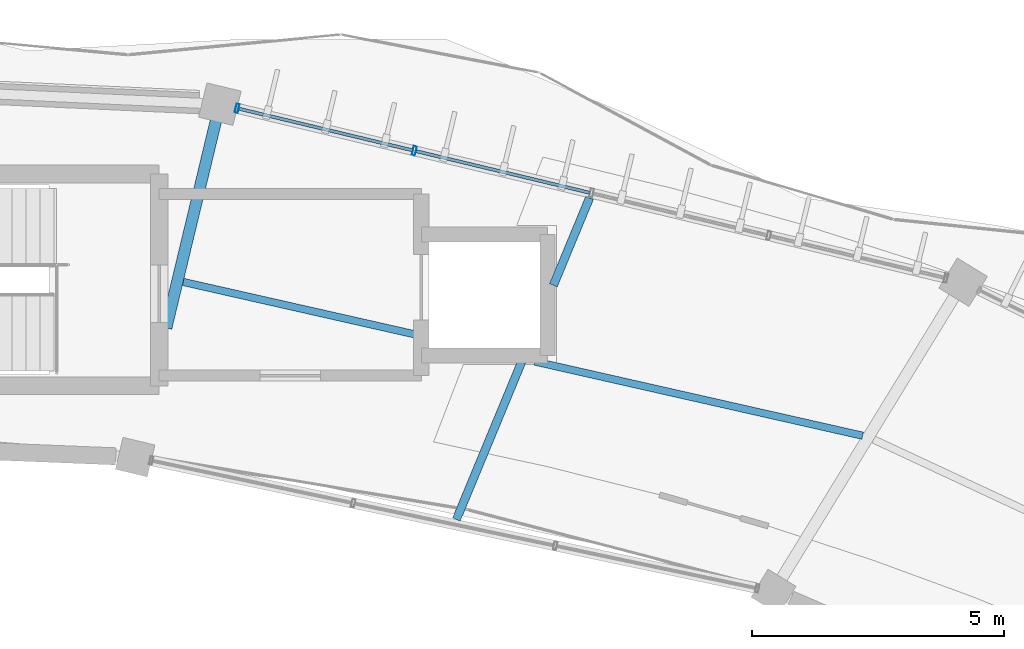
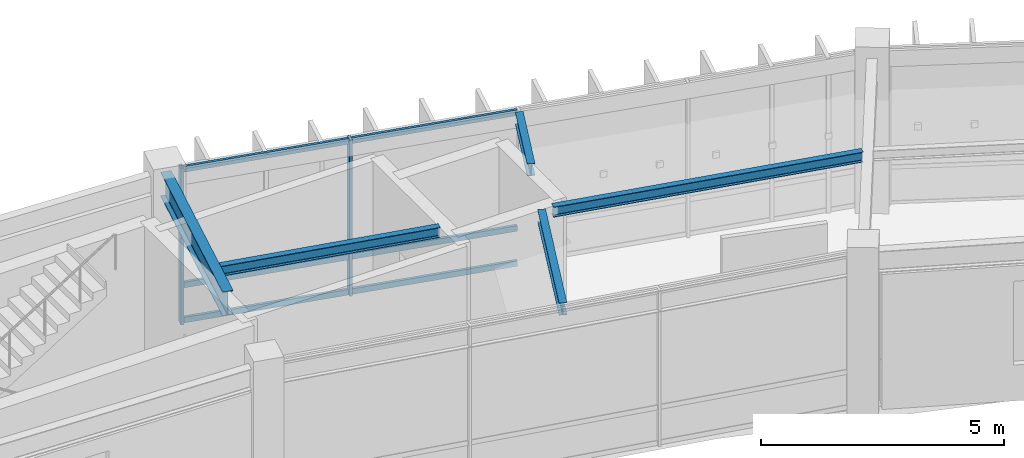
# One storey, part 72 of 138: 8 members, 5 beams, 1 element without a shape of its own.
"""IFC4 building model written with IfcOpenShell, lengths in metres."""

from ifc_helpers import new_model, si_unit, direction, frame, origin, origin_2d, place, context, subcontext, project, spatial, hollow_rectangle, i_section, extrude, material, material_profile, profile_set, type_object, element, aggregate, save


model = new_model("IFC4")

# Units and contexts
model_context = context("Model", 3, precision=1e-05, world=origin(), true_north=direction((0.0, 1.0)))
body_context = subcontext(model_context, "Body", "Model", "MODEL_VIEW")
ifc_project = project(units=[si_unit("LENGTHUNIT", "METRE"), si_unit("AREAUNIT", "SQUARE_METRE"), si_unit("VOLUMEUNIT", "CUBIC_METRE"), si_unit("PLANEANGLEUNIT", "RADIAN"), si_unit("MASSUNIT", "GRAM", prefix="KILO"), si_unit("THERMODYNAMICTEMPERATUREUNIT", "KELVIN"), si_unit("POWERUNIT", "WATT")], contexts=[model_context])

# Site, building, storey
site_placement = place(None, origin())
site = spatial("IfcSite", under=ifc_project, at=site_placement, CompositionType="ELEMENT")
building_placement = place(site_placement, origin())
building = spatial("IfcBuilding", under=site, at=building_placement, Name="Darbajah Civic Hall", CompositionType="ELEMENT")
storey_placement = place(building_placement, frame((0.0, 0.0, 9.60009765625)))
storey = spatial("IfcBuildingStorey", under=building, at=storey_placement, Name="L02", CompositionType="ELEMENT", Elevation=9.60009765625)

# Curtain wall, members
ifc_material_1 = material(Name="Anodised Bronze Aluminium and Low-E Glazing", Category="aluminium")
curtain_wall_type = type_object("IfcCurtainWallType", Name="Unitised Curtain Wall CW-40 14500x3900", PredefinedType="USERDEFINED", material=ifc_material_1)
curtain_wall_placement = place(storey_placement, origin())
curtain_wall = element("IfcCurtainWall", 1, at=curtain_wall_placement, inside=storey, type_object=curtain_wall_type, Name="L02 unitised curtain wall CW-V1O-L02-03", ObjectType="UNITISED CURTAIN WALL", PredefinedType="USERDEFINED")
ifc_material_2 = material(Name="Anodised Bronze Aluminium", Category="aluminium")
ifc_material_profile_1 = material_profile(ifc_material_2, hollow_rectangle(XDim=0.06494140625, YDim=0.179931640625, WallThickness=0.00390625, at=origin_2d()), Name="ALU MULLION 65x180")
ifc_profile_set_1 = profile_set([ifc_material_profile_1], Name="Anodised Bronze Aluminium")
member_type_1 = type_object("IfcMemberType", Name="ALU MULLION 65x180", PredefinedType="MULLION", material=ifc_profile_set_1)
member_1_placement = place(storey_placement, frame((104.8623046875, 117.560791015625, 0.0), z_axis=(0.0, 0.0, 1.0), x_axis=(-0.972492018808, 0.232936200179, 0.0)))
member_1 = element("IfcMember", 2, at=member_1_placement, type_object=member_type_1, Name="CW-V1O-L02-03 mullion 4", PredefinedType="MULLION", context=body_context, shape_type="SweptSolid", body=[
    extrude(hollow_rectangle(XDim=0.06494140625, YDim=0.179931640625, WallThickness=0.00390625, at=origin_2d()), origin(), (0.0, 0.0, 1.0), 3.919921875),
])
member_2_placement = place(storey_placement, frame((101.347900390625, 118.40283203125, 0.0), z_axis=(0.0, 0.0, 1.0), x_axis=(-0.972492018808, 0.232936200179, 0.0)))
member_2 = element("IfcMember", 3, at=member_2_placement, type_object=member_type_1, Name="CW-V1O-L02-03 mullion 5", PredefinedType="MULLION", context=body_context, shape_type="SweptSolid", body=[
    extrude(hollow_rectangle(XDim=0.06494140625, YDim=0.179931640625, WallThickness=0.00390625, at=origin_2d()), origin(), (0.0, 0.0, 1.0), 3.919921875),
])
ifc_material_profile_2 = material_profile(ifc_material_2, hollow_rectangle(XDim=0.06494140625, YDim=0.139892578125, WallThickness=0.00341796875, at=origin_2d()), Name="ALU TRANSOM 65x140")
ifc_profile_set_2 = profile_set([ifc_material_profile_2], Name="Anodised Bronze Aluminium")
member_type_2 = type_object("IfcMemberType", Name="ALU TRANSOM 65x140", PredefinedType="USERDEFINED", material=ifc_profile_set_2)
member_3_placement = place(storey_placement, frame((108.340087890625, 116.7275390625, 0.06982421875), z_axis=(-0.972466150387, 0.233044172532, 0.0), x_axis=(-0.233044172532, -0.972466150387, 0.0)))
member_3 = element("IfcMember", 4, at=member_3_placement, type_object=member_type_2, Name="CW-V1O-L02-03 transom 3.1", ObjectType="TRANSOM", PredefinedType="USERDEFINED", context=body_context, shape_type="SweptSolid", body=[
    extrude(hollow_rectangle(XDim=0.06494140625, YDim=0.139892578125, WallThickness=0.00341796875, at=origin_2d()), origin(), (0.0, 0.0, 1.0), 3.538818359375),
])
member_4_placement = place(storey_placement, frame((108.340087890625, 116.7275390625, 0.949951171875), z_axis=(-0.972466150387, 0.233044172532, 0.0), x_axis=(-0.233044172532, -0.972466150387, 0.0)))
member_4 = element("IfcMember", 5, at=member_4_placement, type_object=member_type_2, Name="CW-V1O-L02-03 transom 3.2", ObjectType="TRANSOM", PredefinedType="USERDEFINED", context=body_context, shape_type="SweptSolid", body=[
    extrude(hollow_rectangle(XDim=0.06494140625, YDim=0.139892578125, WallThickness=0.00341796875, at=origin_2d()), origin(), (0.0, 0.0, 1.0), 3.538818359375),
])
member_5_placement = place(storey_placement, frame((108.340087890625, 116.7275390625, 3.849853515625), z_axis=(-0.972466150387, 0.233044172532, 0.0), x_axis=(-0.233044172532, -0.972466150387, 0.0)))
member_5 = element("IfcMember", 6, at=member_5_placement, type_object=member_type_2, Name="CW-V1O-L02-03 transom 3.3", ObjectType="TRANSOM", PredefinedType="USERDEFINED", context=body_context, shape_type="SweptSolid", body=[
    extrude(hollow_rectangle(XDim=0.06494140625, YDim=0.139892578125, WallThickness=0.00341796875, at=origin_2d()), origin(), (0.0, 0.0, 1.0), 3.538818359375),
])
member_6_placement = place(storey_placement, frame((104.82568359375, 117.569580078125, 0.06982421875), z_axis=(-0.972462403257, 0.233059808315, 0.0), x_axis=(-0.233059808315, -0.972462403257, 0.0)))
member_6 = element("IfcMember", 7, at=member_6_placement, type_object=member_type_2, Name="CW-V1O-L02-03 transom 4.1", ObjectType="TRANSOM", PredefinedType="USERDEFINED", context=body_context, shape_type="SweptSolid", body=[
    extrude(hollow_rectangle(XDim=0.06494140625, YDim=0.139892578125, WallThickness=0.00341796875, at=origin_2d()), origin(), (0.0, 0.0, 1.0), 3.53857421875),
])
member_7_placement = place(storey_placement, frame((104.82568359375, 117.569580078125, 0.949951171875), z_axis=(-0.972462403257, 0.233059808315, 0.0), x_axis=(-0.233059808315, -0.972462403257, 0.0)))
member_7 = element("IfcMember", 8, at=member_7_placement, type_object=member_type_2, Name="CW-V1O-L02-03 transom 4.2", ObjectType="TRANSOM", PredefinedType="USERDEFINED", context=body_context, shape_type="SweptSolid", body=[
    extrude(hollow_rectangle(XDim=0.06494140625, YDim=0.139892578125, WallThickness=0.00341796875, at=origin_2d()), origin(), (0.0, 0.0, 1.0), 3.53857421875),
])
member_8_placement = place(storey_placement, frame((104.82568359375, 117.569580078125, 3.849853515625), z_axis=(-0.972462403257, 0.233059808315, 0.0), x_axis=(-0.233059808315, -0.972462403257, 0.0)))
member_8 = element("IfcMember", 9, at=member_8_placement, type_object=member_type_2, Name="CW-V1O-L02-03 transom 4.3", ObjectType="TRANSOM", PredefinedType="USERDEFINED", context=body_context, shape_type="SweptSolid", body=[
    extrude(hollow_rectangle(XDim=0.06494140625, YDim=0.139892578125, WallThickness=0.00341796875, at=origin_2d()), origin(), (0.0, 0.0, 1.0), 3.53857421875),
])
aggregate(curtain_wall, [member_1, member_2, member_3, member_4, member_5, member_6, member_7, member_8])

# Beams
ifc_material_3 = material(Name="Steel S355JR", Category="steel")
ifc_material_profile_3 = material_profile(ifc_material_3, i_section(OverallWidth=0.146484375, OverallDepth=0.256103515625, WebThickness=0.00634765625, FlangeThickness=0.010986328125, FilletRadius=0.007568359375, at=origin_2d()), Name="UB 254x146x37")
ifc_profile_set_3 = profile_set([ifc_material_profile_3], Name="Steel S355JR")
beam_type_1 = type_object("IfcBeamType", Name="UB 254x146x37", PredefinedType="JOIST", material=ifc_profile_set_3)
beam_1_placement = place(storey_placement, frame((113.75341796875, 111.908935546875, 3.7919921875), z_axis=(-0.975333988731, 0.220734252953, 0.0), x_axis=(-0.220734252953, -0.975333988731, 0.0)))
element("IfcBeam", 10, at=beam_1_placement, inside=storey, type_object=beam_type_1, Name="L02 beam SJ-254", PredefinedType="JOIST", context=body_context, shape_type="SweptSolid", body=[
    extrude(i_section(OverallWidth=0.146484375, OverallDepth=0.256103515625, WebThickness=0.00634765625, FlangeThickness=0.010986328125, FilletRadius=0.007568359375, at=origin_2d()), origin(), (0.0, 0.0, 1.0), 6.663818359375),
])
beam_2_placement = place(storey_placement, frame((104.8798828125, 113.917236328125, 3.7919921875), z_axis=(-0.97532969835, 0.220753209527, 0.0), x_axis=(-0.220753209527, -0.97532969835, 0.0)))
element("IfcBeam", 11, at=beam_2_placement, inside=storey, type_object=beam_type_1, Name="L02 beam SJ-254", PredefinedType="JOIST", context=body_context, shape_type="SweptSolid", body=[
    extrude(i_section(OverallWidth=0.146484375, OverallDepth=0.256103515625, WebThickness=0.00634765625, FlangeThickness=0.010986328125, FilletRadius=0.007568359375, at=origin_2d()), origin(), (0.0, 0.0, 1.0), 4.718017578125),
])
ifc_material_profile_4 = material_profile(ifc_material_3, i_section(OverallWidth=0.165771484375, OverallDepth=0.306640625, WebThickness=0.006591796875, FlangeThickness=0.01171875, FilletRadius=0.0087890625, at=origin_2d()), Name="UB 305x165x46")
ifc_profile_set_4 = profile_set([ifc_material_profile_4], Name="Steel S355JR")
beam_type_2 = type_object("IfcBeamType", Name="UB 305x165x46", PredefinedType="JOIST", material=ifc_profile_set_4)
beam_3_placement = place(storey_placement, frame((105.69580078125, 110.246826171875, 3.7666015625), z_axis=(0.382646399195, 0.923894871283, 0.0), x_axis=(-0.923894871283, 0.382646399195, 0.0)))
element("IfcBeam", 12, at=beam_3_placement, inside=storey, type_object=beam_type_2, Name="L02 beam SJ-305", PredefinedType="JOIST", context=body_context, shape_type="SweptSolid", body=[
    extrude(i_section(OverallWidth=0.165771484375, OverallDepth=0.306640625, WebThickness=0.006591796875, FlangeThickness=0.01171875, FilletRadius=0.0087890625, at=origin_2d()), origin(), (0.0, 0.0, 1.0), 3.39111328125),
])
beam_4_placement = place(storey_placement, frame((107.6201171875, 114.892578125, 3.7666015625), z_axis=(0.382589483091, 0.923918441978, 0.0), x_axis=(-0.923918441978, 0.382589483091, 0.0)))
element("IfcBeam", 13, at=beam_4_placement, inside=storey, type_object=beam_type_2, Name="L02 beam SJ-305", PredefinedType="JOIST", context=body_context, shape_type="SweptSolid", body=[
    extrude(i_section(OverallWidth=0.165771484375, OverallDepth=0.306640625, WebThickness=0.006591796875, FlangeThickness=0.01171875, FilletRadius=0.0087890625, at=origin_2d()), origin(), (0.0, 0.0, 1.0), 1.874755859375),
])
ifc_material_profile_5 = material_profile(ifc_material_3, i_section(OverallWidth=0.228271484375, OverallDepth=0.607666015625, WebThickness=0.010986328125, FlangeThickness=0.017333984375, FilletRadius=0.0126953125, at=origin_2d()), Name="UB 610x229x113")
ifc_profile_set_5 = profile_set([ifc_material_profile_5], Name="Steel S355JR")
beam_type_3 = type_object("IfcBeamType", Name="UB 610x229x113", PredefinedType="BEAM", material=ifc_profile_set_5)
beam_5_placement = place(storey_placement, frame((99.93994140625, 114.0458984375, 3.6162109375), z_axis=(0.233469714674, 0.972364073961, 0.0), x_axis=(-0.972364073961, 0.233469714674, 0.0)))
element("IfcBeam", 14, at=beam_5_placement, inside=storey, type_object=beam_type_3, Name="L02 beam SB-610", PredefinedType="BEAM", context=body_context, shape_type="SweptSolid", body=[
    extrude(i_section(OverallWidth=0.228271484375, OverallDepth=0.607666015625, WebThickness=0.010986328125, FlangeThickness=0.017333984375, FilletRadius=0.0126953125, at=origin_2d()), origin(), (0.0, 0.0, 1.0), 4.485107421875),
])

save(model, "model.ifc")
